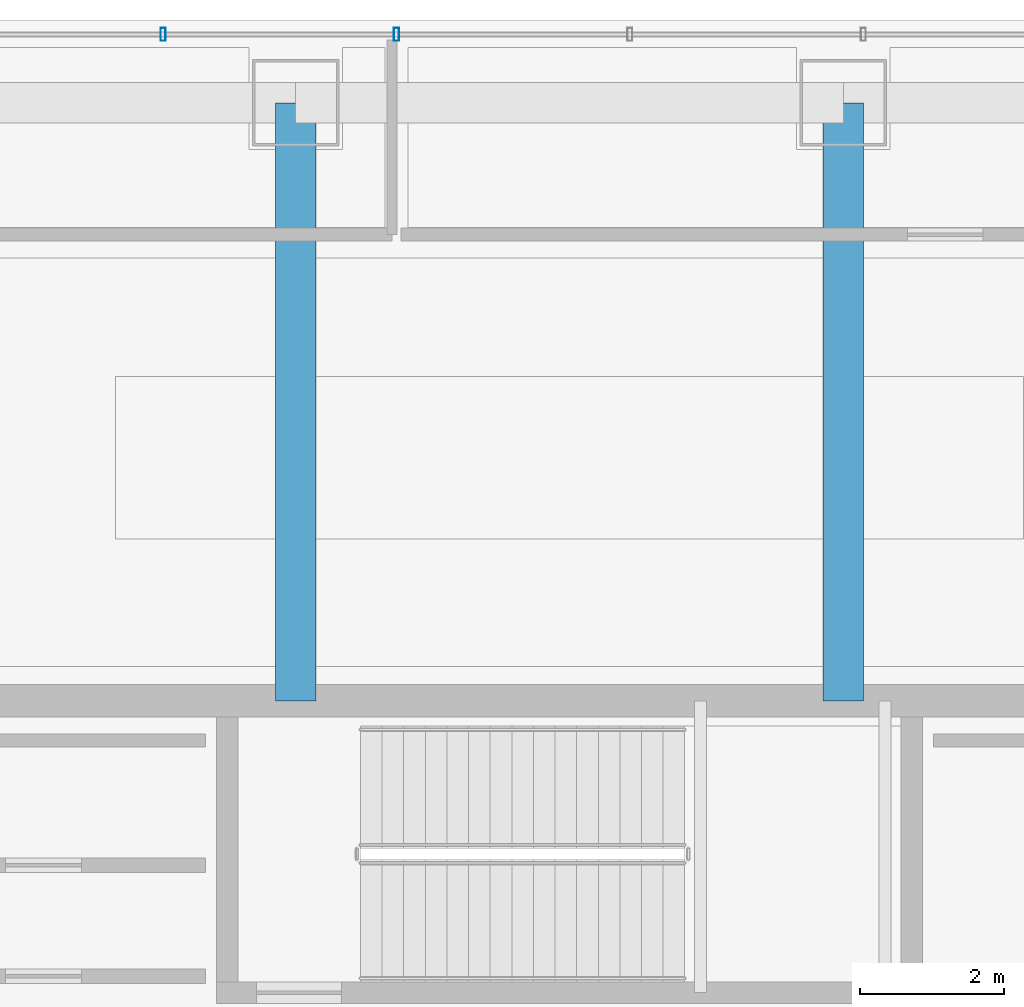
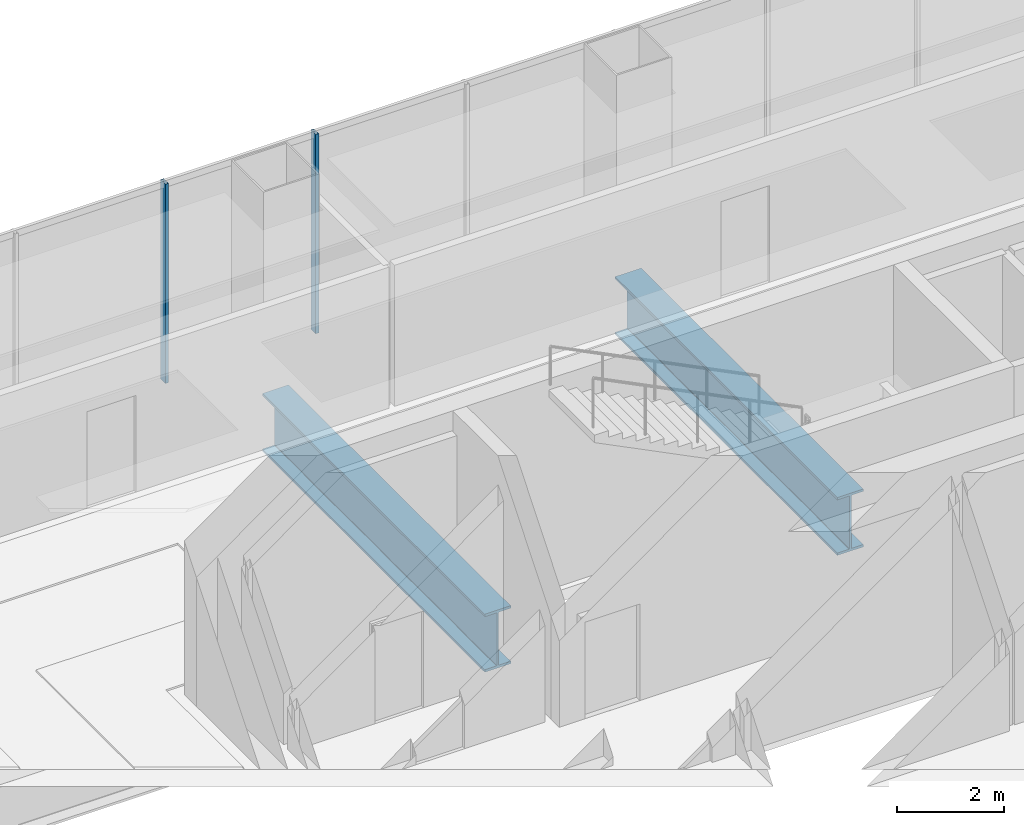
# One storey, part 27 of 44: 2 beams, 2 members, 1 element without a shape of its own.
"""IFC4 building model written with IfcOpenShell, lengths in metres."""

from ifc_helpers import new_model, si_unit, direction, frame, origin, origin_2d, place, context, subcontext, project, spatial, hollow_rectangle, i_section, extrude, material, material_profile, profile_set, type_object, element, aggregate, save


model = new_model("IFC4")

# Units and contexts
model_context = context("Model", 3, precision=1e-05, world=origin(), true_north=direction((0.0, 1.0)))
body_context = subcontext(model_context, "Body", "Model", "MODEL_VIEW")
ifc_project = project(units=[si_unit("LENGTHUNIT", "METRE"), si_unit("AREAUNIT", "SQUARE_METRE"), si_unit("VOLUMEUNIT", "CUBIC_METRE"), si_unit("PLANEANGLEUNIT", "RADIAN"), si_unit("MASSUNIT", "GRAM", prefix="KILO")], contexts=[model_context])

# Site, building, storey
site_placement = place(None, origin())
site = spatial("IfcSite", under=ifc_project, at=site_placement, CompositionType="ELEMENT")
building_placement = place(site_placement, origin())
building = spatial("IfcBuilding", under=site, at=building_placement, Name="Punatoya Terracotta Tower", CompositionType="ELEMENT")
storey_placement = place(building_placement, frame((0.0, 0.0, 334.199951171875)))
storey = spatial("IfcBuildingStorey", under=building, at=storey_placement, Name="L79", CompositionType="ELEMENT", Elevation=334.199951171875)

# Beams
ifc_material_1 = material(Name="Steel S460", Category="steel")
ifc_material_profile_1 = material_profile(ifc_material_1, i_section(OverallWidth=0.56005859375, OverallDepth=1.320068359375, WebThickness=0.035888671875, FlangeThickness=0.054931640625, FilletRadius=0.01806640625, at=origin_2d()))
ifc_profile_set_1 = profile_set([ifc_material_profile_1], Name="Steel S460")
beam_type = type_object("IfcBeamType", Name="BM-TG-BLK", PredefinedType="BEAM", material=ifc_profile_set_1)
for number, where, z_axis, x_axis, name in (
    (1, (-3.800048828125, 9.199951171875, -0.919921875), (0.0, 1.0, 0.0), (-1.0, 0.0, 0.0), "BM-L79-PR-N2"),
    (2, (3.800048828125, 9.199951171875, -0.919921875), (0.0, 1.0, 0.0), (-1.0, 0.0, 0.0), "BM-L79-PR-N3"),
):
    element("IfcBeam", number, at=place(storey_placement, frame(where, z_axis=z_axis, x_axis=x_axis)), inside=storey, type_object=beam_type, Name=name, PredefinedType="BEAM", context=body_context, shape_type="SweptSolid", body=[
        extrude(i_section(OverallWidth=0.56005859375, OverallDepth=1.320068359375, WebThickness=0.035888671875, FlangeThickness=0.054931640625, FilletRadius=0.01806640625, at=origin_2d()), origin(), (0.0, 0.0, 1.0), 8.300048828125),
    ])

# Curtain wall, members
ifc_material_2 = material(Name="Aluminium 6063-T6 + Double Low-E Glass", Category="aluminium")
curtain_wall_type = type_object("IfcCurtainWallType", Name="CW-OBS", PredefinedType="NOTDEFINED", material=ifc_material_2)
curtain_wall_placement = place(storey_placement, origin())
curtain_wall = element("IfcCurtainWall", 3, at=curtain_wall_placement, inside=storey, type_object=curtain_wall_type, Name="L79 Curtain Wall CW-L79-N14-1", PredefinedType="NOTDEFINED")
ifc_material_3 = material(Name="Aluminium 6063-T6", Category="aluminium")
ifc_material_profile_2 = material_profile(ifc_material_3, hollow_rectangle(XDim=0.070068359375, YDim=0.179931640625, WallThickness=0.00390625, at=origin_2d()))
ifc_profile_set_2 = profile_set([ifc_material_profile_2], Name="Aluminium 6063-T6")
member_type = type_object("IfcMemberType", Name="CW-MUL-M3", PredefinedType="MULLION", material=ifc_profile_set_2)
member_1_placement = place(storey_placement, frame((-2.39990234375, 18.449951171875, 0.0), z_axis=(0.0, 0.0, 1.0), x_axis=(1.0, 0.0, 0.0)))
member_1 = element("IfcMember", 4, at=member_1_placement, type_object=member_type, Name="CW-L79-N14-1 Mullion 06", PredefinedType="MULLION", context=body_context, shape_type="SweptSolid", body=[
    extrude(hollow_rectangle(XDim=0.070068359375, YDim=0.179931640625, WallThickness=0.00390625, at=origin_2d()), origin(), (0.0, 0.0, 1.0), 4.5400390625),
])
member_2_placement = place(storey_placement, frame((-5.639404296875, 18.449951171875, 0.0), z_axis=(0.0, 0.0, 1.0), x_axis=(1.0, 0.0, 0.0)))
member_2 = element("IfcMember", 5, at=member_2_placement, type_object=member_type, Name="CW-L79-N14-1 Mullion 07", PredefinedType="MULLION", context=body_context, shape_type="SweptSolid", body=[
    extrude(hollow_rectangle(XDim=0.070068359375, YDim=0.179931640625, WallThickness=0.00390625, at=origin_2d()), origin(), (0.0, 0.0, 1.0), 4.5400390625),
])
aggregate(curtain_wall, [member_1, member_2])

save(model, "model.ifc")
